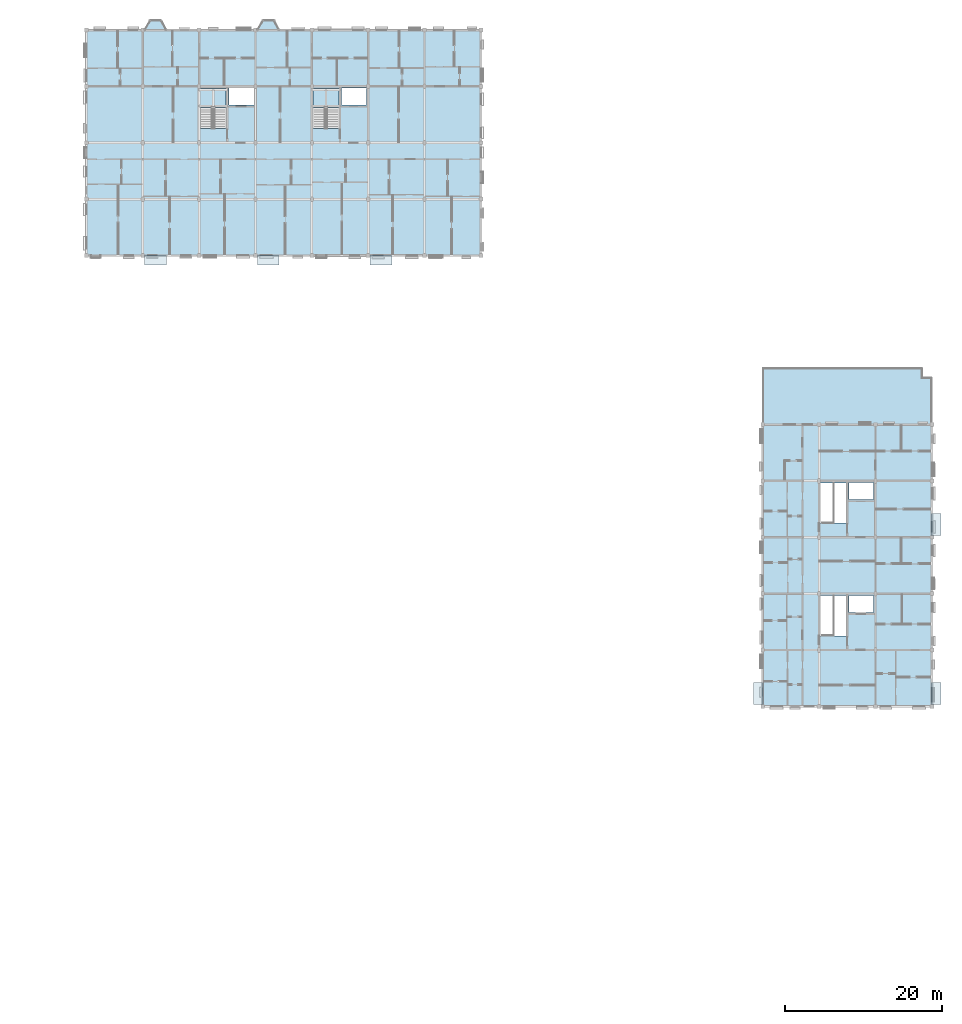
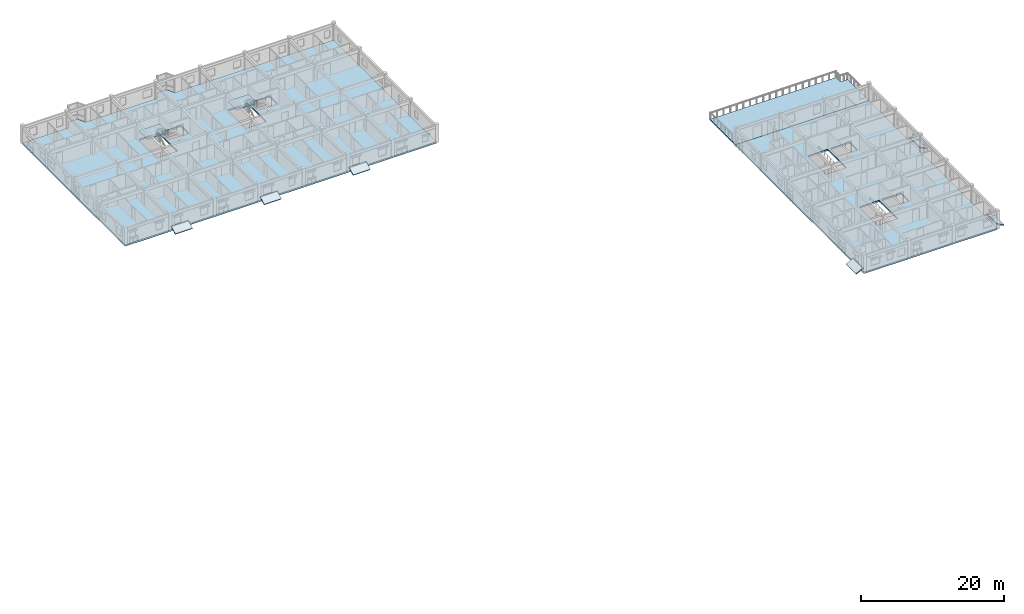
# One storey, part 14 of 38: 11 slabs, 2 elements without a shape of their own.
"""IFC4 building model written with IfcOpenShell, lengths in metres."""

from ifc_helpers import new_model, si_unit, direction, frame, origin, place, context, subcontext, project, spatial, polyline, outline, extrude, material, layer, layer_set, type_object, element, aggregate, save


model = new_model("IFC4")

# Units and contexts
model_context = context("Model", 3, precision=1e-05, world=origin(), true_north=direction((0.0, 1.0)))
body_context = subcontext(model_context, "Body", "Model", "MODEL_VIEW")
ifc_project = project(units=[si_unit("LENGTHUNIT", "METRE"), si_unit("AREAUNIT", "SQUARE_METRE"), si_unit("VOLUMEUNIT", "CUBIC_METRE"), si_unit("PLANEANGLEUNIT", "RADIAN"), si_unit("MASSUNIT", "GRAM", prefix="KILO"), si_unit("THERMODYNAMICTEMPERATUREUNIT", "KELVIN"), si_unit("POWERUNIT", "WATT")], contexts=[model_context])

# Site, building, storey
site_placement = place(None, origin())
site = spatial("IfcSite", under=ifc_project, at=site_placement, CompositionType="ELEMENT")
building_placement = place(site_placement, origin())
building = spatial("IfcBuilding", under=site, at=building_placement, Name="Tavuni Mirador Residences", CompositionType="ELEMENT")
storey_placement = place(building_placement, frame((0.0, 0.0, 32.85009765625)))
storey = spatial("IfcBuildingStorey", under=building, at=storey_placement, Name="L10", CompositionType="ELEMENT", Elevation=32.85009765625)

# Slabs
ifc_material_1 = material(Name="Prestressed concrete C45/55", Category="concrete")
ifc_layer_1 = layer(ifc_material_1, 0.260009765625, Name="Prestressed concrete C45/55", Category="concrete")
ifc_layer_set_1 = layer_set([ifc_layer_1], Name="Prestressed concrete C45/55")
slab_type_1 = type_object("IfcSlabType", Name="SLT-FLR260", PredefinedType="FLOOR", material=ifc_layer_set_1)
slab_1_placement = place(storey_placement, frame((0.0, 0.0, -0.260009765625)))
element("IfcSlab", 1, at=slab_1_placement, inside=storey, type_object=slab_type_1, Name="SLB-BLK-D-L10", PredefinedType="FLOOR", context=body_context, shape_type="SweptSolid", body=[
    extrude(outline(polyline([(97.199951171875, 86.39990234375), (118.800048828125, 86.39990234375), (118.800048828125, 122.39990234375), (97.199951171875, 122.39990234375), (97.199951171875, 86.39990234375)]), holes=[polyline([(104.56005859375, 95.407958984375), (107.840087890625, 95.407958984375), (107.840087890625, 100.56005859375), (104.56005859375, 100.56005859375), (104.56005859375, 95.407958984375)]), polyline([(108.219970703125, 98.419921875), (111.3798828125, 98.419921875), (111.3798828125, 100.580078125), (108.219970703125, 100.580078125), (108.219970703125, 98.419921875)]), polyline([(104.56005859375, 109.80810546875), (107.840087890625, 109.80810546875), (107.840087890625, 114.9599609375), (104.56005859375, 114.9599609375), (104.56005859375, 109.80810546875)]), polyline([(108.219970703125, 112.820068359375), (111.3798828125, 112.820068359375), (111.3798828125, 114.97998046875), (108.219970703125, 114.97998046875), (108.219970703125, 112.820068359375)])]), origin(), (0.0, 0.0, 1.0), 0.260009765625),
])
ifc_layer_2 = layer(ifc_material_1, 0.264892578125, Name="Prestressed concrete C45/55", Category="concrete")
ifc_layer_set_2 = layer_set([ifc_layer_2], Name="Prestressed concrete C45/55")
slab_type_2 = type_object("IfcSlabType", Name="SLT-FLR265", PredefinedType="FLOOR", material=ifc_layer_set_2)
slab_2_placement = place(storey_placement, frame((0.0, 0.0, -0.26513671875)))
element("IfcSlab", 2, at=slab_2_placement, inside=storey, type_object=slab_type_2, Name="SLB-BLK-C-L10", PredefinedType="FLOOR", context=body_context, shape_type="SweptSolid", body=[
    extrude(outline(polyline([(10.800048828125, 144.0), (61.199951171875, 144.0), (61.199951171875, 172.800048828125), (35.419921875, 172.800048828125), (34.780029296875, 174.0), (33.360107421875, 174.0), (32.64990234375, 172.800048828125), (21.02001953125, 172.800048828125), (20.3798828125, 174.0), (18.9599609375, 174.0), (18.25, 172.800048828125), (10.800048828125, 172.800048828125), (10.800048828125, 144.0)]), holes=[polyline([(25.360107421875, 160.2080078125), (28.639892578125, 160.2080078125), (28.639892578125, 165.360107421875), (25.360107421875, 165.360107421875), (25.360107421875, 160.2080078125)]), polyline([(29.02001953125, 163.219970703125), (32.179931640625, 163.219970703125), (32.179931640625, 165.3798828125), (29.02001953125, 165.3798828125), (29.02001953125, 163.219970703125)]), polyline([(39.760009765625, 160.2080078125), (43.0400390625, 160.2080078125), (43.0400390625, 165.360107421875), (39.760009765625, 165.360107421875), (39.760009765625, 160.2080078125)]), polyline([(43.419921875, 163.219970703125), (46.580078125, 163.219970703125), (46.580078125, 165.3798828125), (43.419921875, 165.3798828125), (43.419921875, 163.219970703125)])]), origin(), (0.0, 0.0, 1.0), 0.26513671875),
])

# Stair, slab
ifc_material_2 = material(Name="Precast concrete C40/50", Category="concrete")
stair_type = type_object("IfcStairType", Name="STT-TYP", PredefinedType="HALF_TURN_STAIR", material=ifc_material_2)
stair_1_placement = place(storey_placement, origin())
stair_1 = element("IfcStair", 3, at=stair_1_placement, inside=storey, type_object=stair_type, Name="Protected exit stair ST5 (L10)", PredefinedType="HALF_TURN_STAIR")
ifc_layer_3 = layer(ifc_material_2, 0.179931640625, Name="Precast concrete C40/50", Category="concrete")
ifc_layer_set_3 = layer_set([ifc_layer_3], Name="Precast concrete C40/50")
slab_type_3 = type_object("IfcSlabType", Name="SLT-LND180", PredefinedType="LANDING", material=ifc_layer_set_3)
slab_3_placement = place(storey_placement, frame((0.0, 0.0, 1.39501953125)))
slab_3 = element("IfcSlab", 4, at=slab_3_placement, type_object=slab_type_3, Name="ST5 landing 1", PredefinedType="LANDING", context=body_context, shape_type="SweptSolid", body=[
    extrude(outline(polyline([(25.340087890625, 162.89208984375), (28.659912109375, 162.89208984375), (28.659912109375, 165.300048828125), (25.340087890625, 165.300048828125), (25.340087890625, 162.89208984375)])), origin(), (0.0, 0.0, 1.0), 0.179931640625),
])
aggregate(stair_1, [slab_3])

stair_2_placement = place(storey_placement, origin())
stair_2 = element("IfcStair", 5, at=stair_2_placement, inside=storey, type_object=stair_type, Name="Protected exit stair ST6 (L10)", PredefinedType="HALF_TURN_STAIR")
slab_4_placement = place(storey_placement, frame((0.0, 0.0, 1.39501953125)))
slab_4 = element("IfcSlab", 6, at=slab_4_placement, type_object=slab_type_3, Name="ST6 landing 1", PredefinedType="LANDING", context=body_context, shape_type="SweptSolid", body=[
    extrude(outline(polyline([(39.739990234375, 162.89208984375), (43.06005859375, 162.89208984375), (43.06005859375, 165.300048828125), (39.739990234375, 165.300048828125), (39.739990234375, 162.89208984375)])), origin(), (0.0, 0.0, 1.0), 0.179931640625),
])
aggregate(stair_2, [slab_4])

# Slabs
ifc_layer_4 = layer(ifc_material_2, 0.175048828125, Name="Precast concrete C40/50", Category="concrete")
ifc_layer_set_4 = layer_set([ifc_layer_4], Name="Precast concrete C40/50")
slab_type_4 = type_object("IfcSlabType", Name="SLT-RF175", PredefinedType="ROOF", material=ifc_layer_set_4)
for number, where, z_axis, x_axis, name in (
    (7, (18.25, 144.0, 0.619873046875), (0.0, -0.458960601939, 0.888456620138), (1.0, 0.0, 0.0), "Mirador roof hood MIR-C-S1"),
    (8, (32.64990234375, 144.0, 0.619873046875), (0.0, -0.458960601939, 0.888456620138), (1.0, 0.0, 0.0), "Mirador roof hood MIR-C-S2"),
    (9, (47.050048828125, 144.0, 0.619873046875), (0.0, -0.458960601939, 0.888456620138), (1.0, 0.0, 0.0), "Mirador roof hood MIR-C-S3"),
):
    element("IfcSlab", number, at=place(storey_placement, frame(where, z_axis=z_axis, x_axis=x_axis)), inside=storey, type_object=slab_type_4, Name=name, PredefinedType="ROOF", context=body_context, shape_type="SweptSolid", body=[
        extrude(outline(polyline([(0.0, 0.0), (2.77001953125, 0.0), (2.77001953125, -1.3506018692147148), (0.0, -1.3506018692147148), (0.0, 0.0)])), origin(), (0.0, 0.0, -1.0), 0.175048828125),
    ])
slab_5_placement = place(storey_placement, frame((97.199951171875, 86.64990234375, 0.619873046875), z_axis=(-0.458960601939, 0.0, 0.888456620138), x_axis=(0.0, 1.0, 0.0)))
element("IfcSlab", 10, at=slab_5_placement, inside=storey, type_object=slab_type_4, Name="Mirador roof hood MIR-D-WU", PredefinedType="ROOF", context=body_context, shape_type="SweptSolid", body=[
    extrude(outline(polyline([(0.0, 0.0), (2.77001953125, 0.0), (2.77001953125, 1.3506018692147148), (0.0, 1.3506018692147148), (0.0, 0.0)])), origin(), (0.0, 0.0, -1.0), 0.175048828125),
])
for number, where, z_axis, x_axis, name in (
    (11, (118.800048828125, 86.64990234375, 0.619873046875), (0.458960601939, 0.0, 0.888456620138), (0.0, 1.0, 0.0), "Mirador roof hood MIR-D-E1"),
    (12, (118.800048828125, 108.25, 0.619873046875), (0.458960601939, 0.0, 0.888456620138), (0.0, 1.0, 0.0), "Mirador roof hood MIR-D-E2"),
):
    element("IfcSlab", number, at=place(storey_placement, frame(where, z_axis=z_axis, x_axis=x_axis)), inside=storey, type_object=slab_type_4, Name=name, PredefinedType="ROOF", context=body_context, shape_type="SweptSolid", body=[
        extrude(outline(polyline([(0.0, 0.0), (2.77001953125, 0.0), (2.77001953125, -1.3506018692147148), (0.0, -1.3506018692147148), (0.0, 0.0)])), origin(), (0.0, 0.0, -1.0), 0.175048828125),
    ])
ifc_layer_5 = layer(ifc_material_1, 0.205078125, Name="Prestressed concrete C45/55", Category="concrete")
ifc_layer_set_5 = layer_set([ifc_layer_5], Name="Prestressed concrete C45/55")
slab_type_5 = type_object("IfcSlabType", Name="SLT-TER205", PredefinedType="FLOOR", material=ifc_layer_set_5)
slab_6_placement = place(storey_placement, frame((0.0, 0.0, -0.205078125)))
element("IfcSlab", 13, at=slab_6_placement, inside=storey, type_object=slab_type_5, Name="Roof terrace TER-D-L10", PredefinedType="FLOOR", context=body_context, shape_type="SweptSolid", body=[
    extrude(outline(polyline([(97.199951171875, 122.39990234375), (118.800048828125, 122.39990234375), (118.800048828125, 128.39990234375), (117.60009765625, 128.39990234375), (117.60009765625, 129.60009765625), (97.199951171875, 129.60009765625), (97.199951171875, 122.39990234375)])), origin(), (0.0, 0.0, 1.0), 0.205078125),
])

save(model, "model.ifc")
